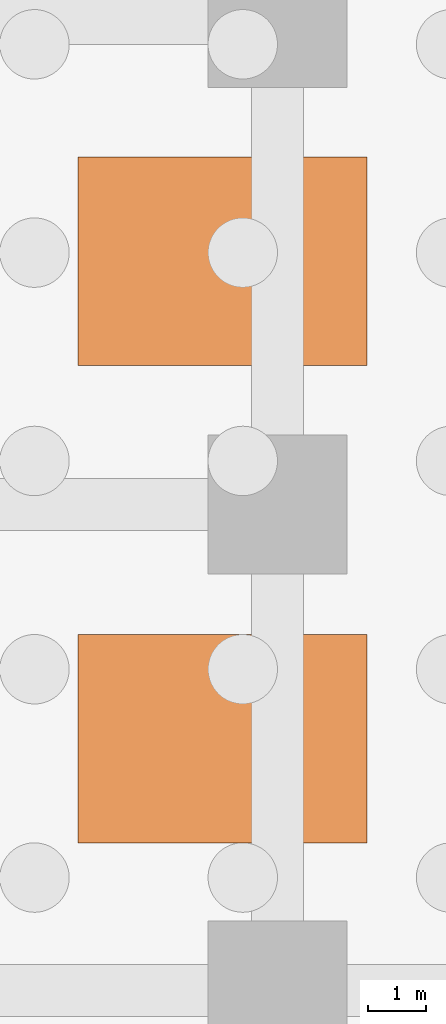
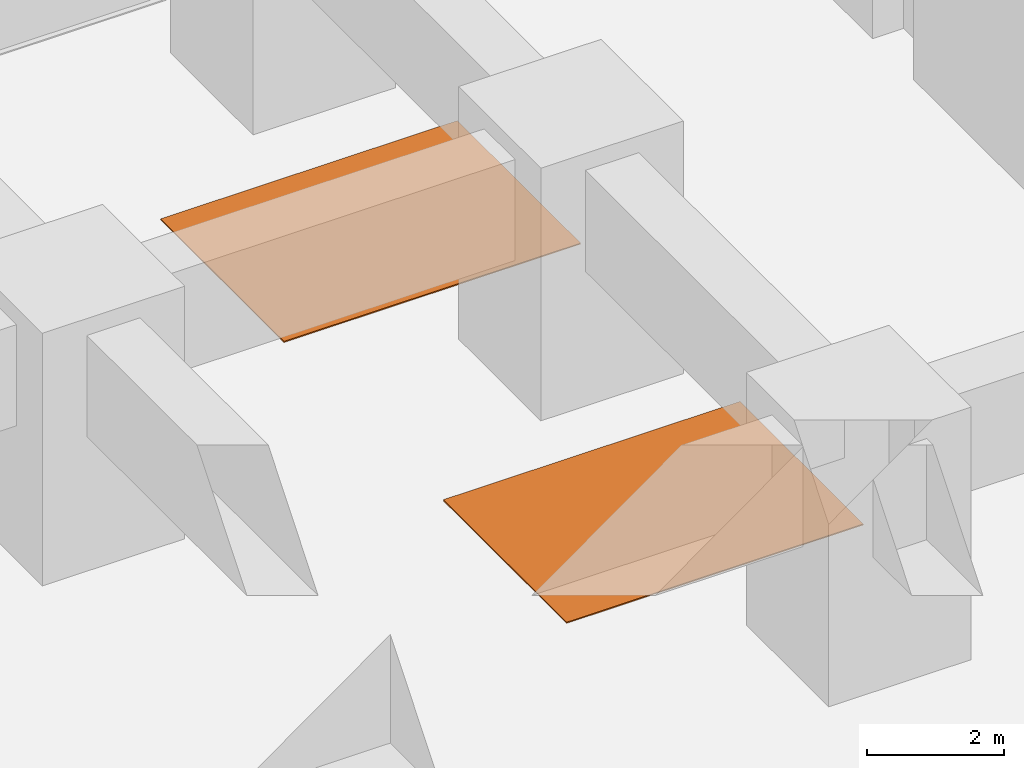
# One storey, part 20 of 28: 2 proxies.
"""IFC4 building model written with IfcOpenShell, lengths in metres."""

from ifc_helpers import new_model, si_unit, direction, frame, origin, origin_2d, place, context, subcontext, project, spatial, rectangle, extrude, material, type_object, element, save


model = new_model("IFC4")

# Units and contexts
model_context = context("Model", 3, precision=1e-05, world=origin(), true_north=direction((0.0, 1.0)))
body_context = subcontext(model_context, "Body", "Model", "MODEL_VIEW")
ifc_project = project(units=[si_unit("LENGTHUNIT", "METRE"), si_unit("AREAUNIT", "SQUARE_METRE"), si_unit("VOLUMEUNIT", "CUBIC_METRE"), si_unit("PLANEANGLEUNIT", "RADIAN"), si_unit("MASSUNIT", "GRAM", prefix="KILO")], contexts=[model_context])

# Site, building, storey
site_placement = place(None, origin())
site = spatial("IfcSite", under=ifc_project, at=site_placement, CompositionType="ELEMENT")
building_placement = place(site_placement, origin())
building = spatial("IfcBuilding", under=site, at=building_placement, Name="Rekha Terrace Tower", CompositionType="ELEMENT")
storey_placement = place(building_placement, frame((0.0, 0.0, -9.89990234375)))
storey = spatial("IfcBuildingStorey", under=building, at=storey_placement, Name="B-02", CompositionType="ELEMENT", Elevation=-9.89990234375)

# Proxies
ifc_material = material(Name="Road marking paint", Category="paint")
building_element_proxy_type = type_object("IfcBuildingElementProxyType", Name="PB2 accessible parking bay marking 3600x5000", PredefinedType="ELEMENT", material=ifc_material)
for number, where, z_axis, x_axis, name in (
    (1, (15.85009765625, 21.14990234375, 0.0), (0.0, 0.0, 1.0), (1.0, 0.0, 0.0), "B-02 accessible parking bay marking 6"),
    (2, (15.85009765625, 29.39990234375, 0.0), (0.0, 0.0, 1.0), (1.0, 0.0, 0.0), "B-02 accessible parking bay marking 7"),
):
    element("IfcBuildingElementProxy", number, at=place(storey_placement, frame(where, z_axis=z_axis, x_axis=x_axis)), inside=storey, type_object=building_element_proxy_type, Name=name, PredefinedType="ELEMENT", context=body_context, shape_type="SweptSolid", body=[
        extrude(rectangle(XDim=5.0, YDim=3.60009765625, at=origin_2d()), origin(), (0.0, 0.0, 1.0), 0.02001953125),
    ])

save(model, "model.ifc")
